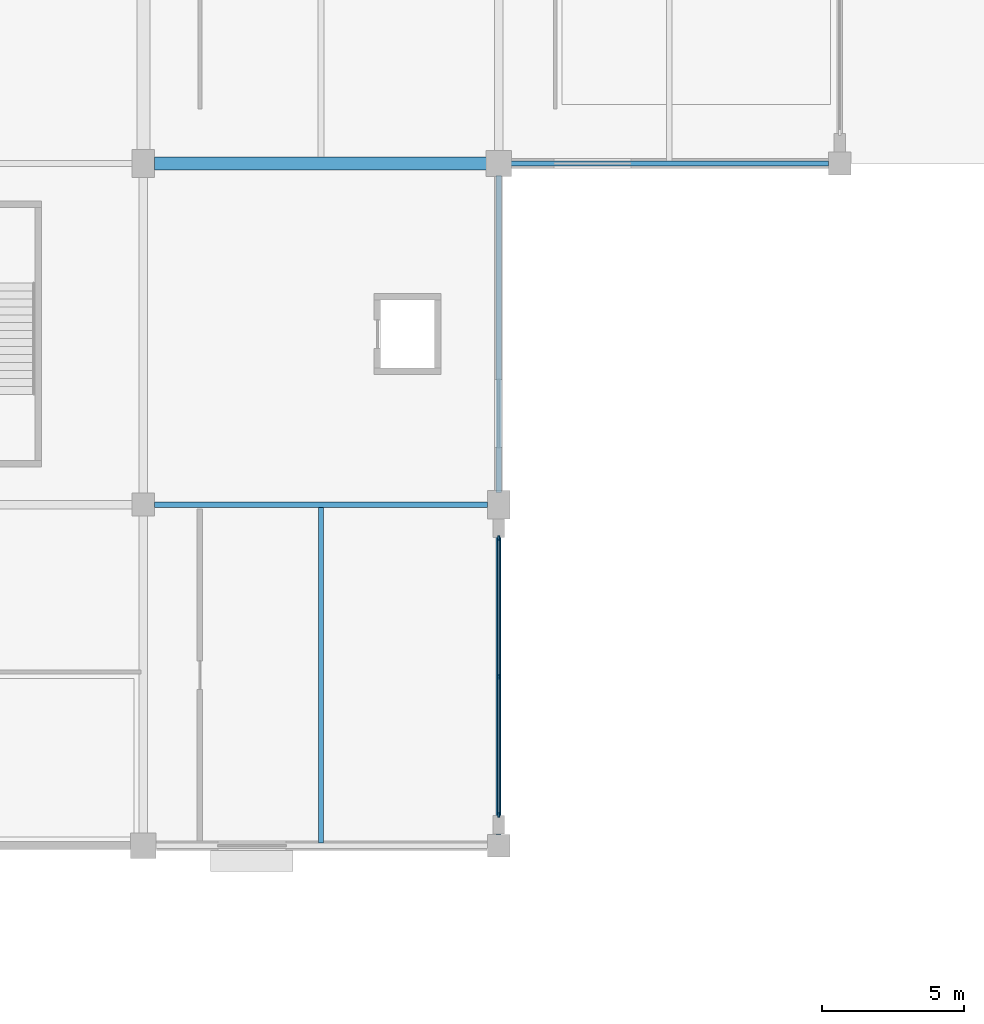
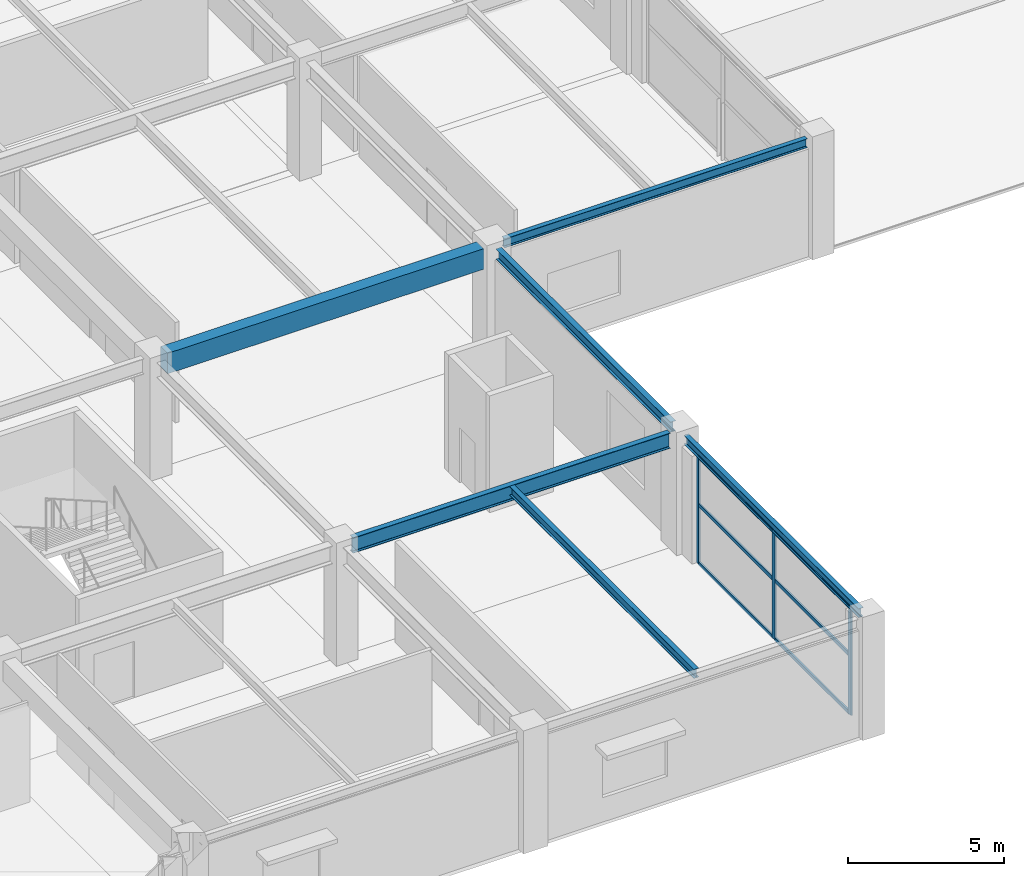
# One storey, part 36 of 134: 9 members, 6 beams, 1 element without a shape of its own.
"""IFC4 building model written with IfcOpenShell, lengths in metres."""

from ifc_helpers import new_model, si_unit, direction, frame, origin, origin_2d, place, context, subcontext, project, spatial, rectangle, i_section, extrude, material, layer, layer_set, material_profile, profile_set, type_object, element, aggregate, save


model = new_model("IFC4")

# Units and contexts
model_context = context("Model", 3, precision=1e-05, world=origin(), true_north=direction((0.0, 1.0)))
body_context = subcontext(model_context, "Body", "Model", "MODEL_VIEW")
ifc_project = project(units=[si_unit("LENGTHUNIT", "METRE"), si_unit("AREAUNIT", "SQUARE_METRE"), si_unit("VOLUMEUNIT", "CUBIC_METRE"), si_unit("PLANEANGLEUNIT", "RADIAN"), si_unit("MASSUNIT", "GRAM", prefix="KILO")], contexts=[model_context])

# Site, building, storey
site_placement = place(None, origin())
site = spatial("IfcSite", under=ifc_project, at=site_placement, CompositionType="ELEMENT")
building_placement = place(site_placement, origin())
building = spatial("IfcBuilding", under=site, at=building_placement, Name="Kazenohara Klinker Stadium", CompositionType="ELEMENT")
storey_placement = place(building_placement, frame((0.0, 0.0, 5.39990234375)))
storey = spatial("IfcBuildingStorey", under=building, at=storey_placement, Name="L01", CompositionType="ELEMENT", Elevation=5.39990234375)

# Beams
ifc_material_1 = material(Name="Steel S355", Category="steel")
ifc_material_profile_1 = material_profile(ifc_material_1, i_section(OverallWidth=0.175048828125, OverallDepth=0.35009765625, WebThickness=0.007080078125, FlangeThickness=0.010986328125, FilletRadius=0.012939453125, at=origin_2d()), Name="H-350x175x7x11")
ifc_profile_set_1 = profile_set([ifc_material_profile_1], Name="Steel S355")
beam_type_1 = type_object("IfcBeamType", Name="BM-JST04", PredefinedType="JOIST", material=ifc_profile_set_1)
beam_1_placement = place(storey_placement, frame((193.75, 12.10009765625, 4.375), z_axis=(0.0, 1.0, 0.0), x_axis=(-1.0, 0.0, 0.0)))
element("IfcBeam", 1, at=beam_1_placement, inside=storey, type_object=beam_type_1, Name="Secondary floor joist SJ04 L01 16/B", PredefinedType="JOIST", context=body_context, shape_type="SweptSolid", body=[
    extrude(i_section(OverallWidth=0.175048828125, OverallDepth=0.35009765625, WebThickness=0.007080078125, FlangeThickness=0.010986328125, FilletRadius=0.012939453125, at=origin_2d()), origin(), (0.0, 0.0, 1.0), 11.7998046875),
])
ifc_material_2 = material(Name="Concrete C40/50", Category="concrete")
ifc_material_profile_2 = material_profile(ifc_material_2, rectangle(XDim=0.449951171875, YDim=0.800048828125, at=origin_2d()), Name="RC-BM-450x800")
ifc_profile_set_2 = profile_set([ifc_material_profile_2], Name="Concrete C40/50")
beam_type_2 = type_object("IfcBeamType", Name="BM-RC03", PredefinedType="BEAM", material=ifc_profile_set_2)
beam_2_placement = place(storey_placement, frame((187.89990234375, 36.0, 4.150146484375), z_axis=(1.0, 0.0, 0.0), x_axis=(0.0, 1.0, 0.0)))
element("IfcBeam", 2, at=beam_2_placement, inside=storey, type_object=beam_type_2, Name="Primary girder BG03 L01 16-17/D", PredefinedType="BEAM", context=body_context, shape_type="SweptSolid", body=[
    extrude(rectangle(XDim=0.449951171875, YDim=0.800048828125, at=origin_2d()), origin(), (0.0, 0.0, 1.0), 11.68017578125),
])
ifc_material_profile_3 = material_profile(ifc_material_1, i_section(OverallWidth=0.199951171875, OverallDepth=0.39990234375, WebThickness=0.008056640625, FlangeThickness=0.012939453125, FilletRadius=0.012939453125, at=origin_2d()), Name="H-400x200x8x13")
ifc_profile_set_3 = profile_set([ifc_material_profile_3], Name="Steel S355")
beam_type_3 = type_object("IfcBeamType", Name="BM-SPD01", PredefinedType="SPANDREL", material=ifc_profile_set_3)
beam_3_placement = place(storey_placement, frame((200.0, 24.419921875, 4.35009765625), z_axis=(0.0, 1.0, 0.0), x_axis=(-1.0, 0.0, 0.0)))
element("IfcBeam", 3, at=beam_3_placement, inside=storey, type_object=beam_type_3, Name="Primary girder SP01 L01 17/C-D", PredefinedType="SPANDREL", context=body_context, shape_type="SweptSolid", body=[
    extrude(i_section(OverallWidth=0.199951171875, OverallDepth=0.39990234375, WebThickness=0.008056640625, FlangeThickness=0.012939453125, FilletRadius=0.012939453125, at=origin_2d()), origin(), (0.0, 0.0, 1.0), 11.16015625),
])
ifc_material_profile_4 = material_profile(ifc_material_1, i_section(OverallWidth=0.175048828125, OverallDepth=0.35009765625, WebThickness=0.007080078125, FlangeThickness=0.010986328125, FilletRadius=0.012939453125, at=origin_2d()), Name="H-350x175x7x11")
ifc_profile_set_4 = profile_set([ifc_material_profile_4], Name="Steel S355")
beam_type_4 = type_object("IfcBeamType", Name="BM-SPD02", PredefinedType="SPANDREL", material=ifc_profile_set_4)
for number, where, z_axis, x_axis, name in (
    (4, (200.419921875, 36.0, 4.375), (1.0, 0.0, 0.0), (0.0, 1.0, 0.0), "Primary girder SP02 L01 17-18/D"),
    (5, (200.0, 12.39990234375, 4.375), (0.0, 1.0, 0.0), (-1.0, 0.0, 0.0), "Primary girder SP02 L01 17/B-C"),
):
    element("IfcBeam", number, at=place(storey_placement, frame(where, z_axis=z_axis, x_axis=x_axis)), inside=storey, type_object=beam_type_4, Name=name, PredefinedType="SPANDREL", context=body_context, shape_type="SweptSolid", body=[
        extrude(i_section(OverallWidth=0.175048828125, OverallDepth=0.35009765625, WebThickness=0.007080078125, FlangeThickness=0.010986328125, FilletRadius=0.012939453125, at=origin_2d()), origin(), (0.0, 0.0, 1.0), 11.18017578125),
    ])
ifc_material_profile_5 = material_profile(ifc_material_1, i_section(OverallWidth=0.199951171875, OverallDepth=0.60009765625, WebThickness=0.010986328125, FlangeThickness=0.01708984375, FilletRadius=0.012939453125, at=origin_2d()), Name="H-600x200x11x17")
ifc_profile_set_5 = profile_set([ifc_material_profile_5], Name="Steel S355")
beam_type_5 = type_object("IfcBeamType", Name="BM-ST04", PredefinedType="BEAM", material=ifc_profile_set_5)
beam_4_placement = place(storey_placement, frame((187.89990234375, 24.0, 4.25), z_axis=(1.0, 0.0, 0.0), x_axis=(0.0, 1.0, 0.0)))
element("IfcBeam", 6, at=beam_4_placement, inside=storey, type_object=beam_type_5, Name="Primary girder SB04 L01 16-17/C", PredefinedType="BEAM", context=body_context, shape_type="SweptSolid", body=[
    extrude(i_section(OverallWidth=0.199951171875, OverallDepth=0.60009765625, WebThickness=0.010986328125, FlangeThickness=0.01708984375, FilletRadius=0.012939453125, at=origin_2d()), origin(), (0.0, 0.0, 1.0), 11.7001953125),
])

# Curtain wall, members
ifc_material_3 = material(Name="Anodised aluminium and triple glazing", Category="aluminium")
ifc_layer = layer(ifc_material_3, 0.169921875)
ifc_layer_set = layer_set([ifc_layer], Name="Anodised aluminium and triple glazing")
curtain_wall_type = type_object("IfcCurtainWallType", Name="CW-SYS-04", PredefinedType="USERDEFINED", material=ifc_layer_set)
curtain_wall_placement = place(storey_placement, origin())
curtain_wall = element("IfcCurtainWall", 7, at=curtain_wall_placement, inside=storey, type_object=curtain_wall_type, Name="Unitised facade curtain wall CW04 L01 Y16-1", ObjectType="UNITISED CURTAIN WALL", PredefinedType="USERDEFINED")
ifc_material_4 = material(Name="Anodised aluminium 6063-T6", Category="aluminium")
ifc_material_profile_6 = material_profile(ifc_material_4, rectangle(XDim=0.06494140625, YDim=0.179931640625, at=origin_2d()), Name="ALU-MUL-65x180")
ifc_profile_set_6 = profile_set([ifc_material_profile_6], Name="Anodised aluminium 6063-T6")
member_type_1 = type_object("IfcMemberType", Name="CW-MUL-180", PredefinedType="MULLION", material=ifc_profile_set_6)
member_1_placement = place(storey_placement, frame((200.0, 13.08642578125, 0.0), z_axis=(0.0, 0.0, 1.0), x_axis=(-1.0, 0.0, 0.0)))
member_1 = element("IfcMember", 8, at=member_1_placement, type_object=member_type_1, Name="CW04 mullion 1", PredefinedType="MULLION", context=body_context, shape_type="SweptSolid", body=[
    extrude(rectangle(XDim=0.06494140625, YDim=0.179931640625, at=origin_2d()), origin(), (0.0, 0.0, 1.0), 4.2001953125),
])
member_2_placement = place(storey_placement, frame((200.0, 17.949951171875, 0.0), z_axis=(0.0, 0.0, 1.0), x_axis=(-1.0, 0.0, 0.0)))
member_2 = element("IfcMember", 9, at=member_2_placement, type_object=member_type_1, Name="CW04 mullion 2", PredefinedType="MULLION", context=body_context, shape_type="SweptSolid", body=[
    extrude(rectangle(XDim=0.06494140625, YDim=0.179931640625, at=origin_2d()), origin(), (0.0, 0.0, 1.0), 4.2001953125),
])
member_3_placement = place(storey_placement, frame((200.0, 22.8134765625, 0.0), z_axis=(0.0, 0.0, 1.0), x_axis=(-1.0, 0.0, 0.0)))
member_3 = element("IfcMember", 10, at=member_3_placement, type_object=member_type_1, Name="CW04 mullion 3", PredefinedType="MULLION", context=body_context, shape_type="SweptSolid", body=[
    extrude(rectangle(XDim=0.06494140625, YDim=0.179931640625, at=origin_2d()), origin(), (0.0, 0.0, 1.0), 4.2001953125),
])
ifc_material_profile_7 = material_profile(ifc_material_4, rectangle(XDim=0.06494140625, YDim=0.139892578125, at=origin_2d()), Name="ALU-TRN-65x140")
ifc_profile_set_7 = profile_set([ifc_material_profile_7], Name="Anodised aluminium 6063-T6")
member_type_2 = type_object("IfcMemberType", Name="CW-TRN-140", PredefinedType="USERDEFINED", material=ifc_profile_set_7)
member_4_placement = place(storey_placement, frame((200.0, 13.118896484375, 0.03271484375), z_axis=(0.0, 1.0, 0.0), x_axis=(-1.0, 0.0, 0.0)))
member_4 = element("IfcMember", 11, at=member_4_placement, type_object=member_type_2, Name="CW04 transom 1.1", ObjectType="TRANSOM", PredefinedType="USERDEFINED", context=body_context, shape_type="SweptSolid", body=[
    extrude(rectangle(XDim=0.06494140625, YDim=0.139892578125, at=origin_2d()), origin(), (0.0, 0.0, 1.0), 4.798583984375),
])
member_5_placement = place(storey_placement, frame((200.0, 13.118896484375, 2.31005859375), z_axis=(0.0, 1.0, 0.0), x_axis=(-1.0, 0.0, 0.0)))
member_5 = element("IfcMember", 12, at=member_5_placement, type_object=member_type_2, Name="CW04 transom 1.2", ObjectType="TRANSOM", PredefinedType="USERDEFINED", context=body_context, shape_type="SweptSolid", body=[
    extrude(rectangle(XDim=0.06494140625, YDim=0.139892578125, at=origin_2d()), origin(), (0.0, 0.0, 1.0), 4.798583984375),
])
member_6_placement = place(storey_placement, frame((200.0, 13.118896484375, 4.16748046875), z_axis=(0.0, 1.0, 0.0), x_axis=(-1.0, 0.0, 0.0)))
member_6 = element("IfcMember", 13, at=member_6_placement, type_object=member_type_2, Name="CW04 transom 1.3", ObjectType="TRANSOM", PredefinedType="USERDEFINED", context=body_context, shape_type="SweptSolid", body=[
    extrude(rectangle(XDim=0.06494140625, YDim=0.139892578125, at=origin_2d()), origin(), (0.0, 0.0, 1.0), 4.798583984375),
])
member_7_placement = place(storey_placement, frame((200.0, 17.982421875, 0.03271484375), z_axis=(0.0, 1.0, 0.0), x_axis=(-1.0, 0.0, 0.0)))
member_7 = element("IfcMember", 14, at=member_7_placement, type_object=member_type_2, Name="CW04 transom 2.1", ObjectType="TRANSOM", PredefinedType="USERDEFINED", context=body_context, shape_type="SweptSolid", body=[
    extrude(rectangle(XDim=0.06494140625, YDim=0.139892578125, at=origin_2d()), origin(), (0.0, 0.0, 1.0), 4.798583984375),
])
member_8_placement = place(storey_placement, frame((200.0, 17.982421875, 2.31005859375), z_axis=(0.0, 1.0, 0.0), x_axis=(-1.0, 0.0, 0.0)))
member_8 = element("IfcMember", 15, at=member_8_placement, type_object=member_type_2, Name="CW04 transom 2.2", ObjectType="TRANSOM", PredefinedType="USERDEFINED", context=body_context, shape_type="SweptSolid", body=[
    extrude(rectangle(XDim=0.06494140625, YDim=0.139892578125, at=origin_2d()), origin(), (0.0, 0.0, 1.0), 4.798583984375),
])
member_9_placement = place(storey_placement, frame((200.0, 17.982421875, 4.16748046875), z_axis=(0.0, 1.0, 0.0), x_axis=(-1.0, 0.0, 0.0)))
member_9 = element("IfcMember", 16, at=member_9_placement, type_object=member_type_2, Name="CW04 transom 2.3", ObjectType="TRANSOM", PredefinedType="USERDEFINED", context=body_context, shape_type="SweptSolid", body=[
    extrude(rectangle(XDim=0.06494140625, YDim=0.139892578125, at=origin_2d()), origin(), (0.0, 0.0, 1.0), 4.798583984375),
])
aggregate(curtain_wall, [member_1, member_2, member_3, member_4, member_5, member_6, member_7, member_8, member_9])

save(model, "model.ifc")
